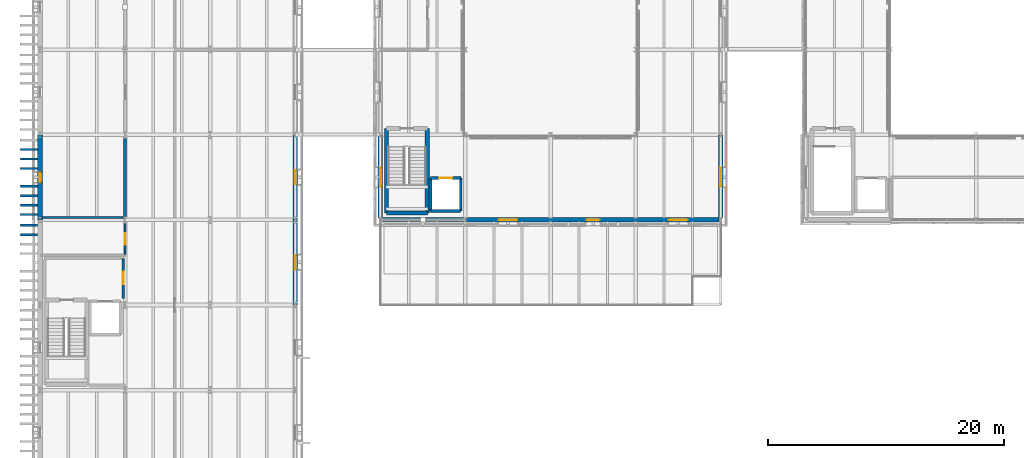
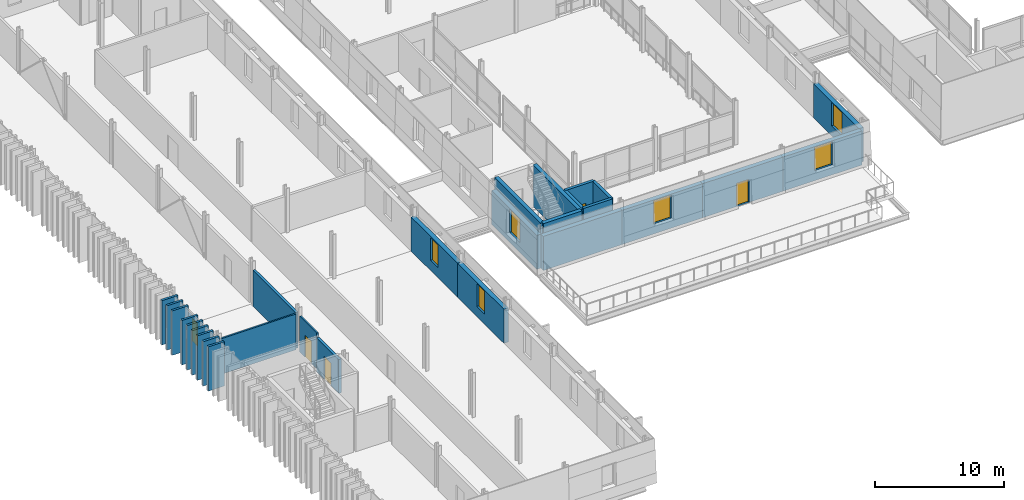
# One storey, part 57 of 91: 29 walls, 7 windows, 4 doors, 11 openings.
"""IFC4 building model written with IfcOpenShell, lengths in metres."""

from ifc_helpers import new_model, si_unit, direction, frame, frame_2d, origin, place, context, subcontext, project, spatial, rectangle, extrude, material, layer, layer_set, type_object, element, fill, save


model = new_model("IFC4")

# Units and contexts
model_context = context("Model", 3, precision=1e-05, world=origin(), true_north=direction((0.0, 1.0)))
body_context = subcontext(model_context, "Body", "Model", "MODEL_VIEW")
ifc_project = project(units=[si_unit("LENGTHUNIT", "METRE"), si_unit("AREAUNIT", "SQUARE_METRE"), si_unit("VOLUMEUNIT", "CUBIC_METRE"), si_unit("PLANEANGLEUNIT", "RADIAN"), si_unit("MASSUNIT", "GRAM", prefix="KILO")], contexts=[model_context])

# Site, building, storey
site_placement = place(None, origin())
site = spatial("IfcSite", under=ifc_project, at=site_placement, CompositionType="ELEMENT")
building_placement = place(site_placement, origin())
building = spatial("IfcBuilding", under=site, at=building_placement, Name="Narikvali Park Central Library", CompositionType="ELEMENT")
storey_placement = place(building_placement, frame((0.0, 0.0, 14.39990234375)))
storey = spatial("IfcBuildingStorey", under=building, at=storey_placement, Name="L03", CompositionType="ELEMENT", Elevation=14.39990234375)

# Wall
ifc_material_1 = material(Name="Reinforced Masonry Blockwork C30/37", Category="masonry")
ifc_layer_1 = layer(ifc_material_1, 0.219970703125, Name="Reinforced Masonry Blockwork C30/37")
ifc_layer_set_1 = layer_set([ifc_layer_1], Name="Reinforced Masonry Blockwork C30/37")
wall_type_1 = type_object("IfcWallType", Name="Archive Fire-Resisting Partition 220", PredefinedType="SOLIDWALL", material=ifc_layer_set_1)
wall_1_placement = place(storey_placement, frame((7.199951171875, 57.87890625, 0.0), z_axis=(0.0, 0.0, 1.0), x_axis=(0.0, 1.0, 0.0)))
element("IfcWall", 1, at=wall_1_placement, inside=storey, type_object=wall_type_1, Name="Compact Mobile Shelving Stacks L03 Partition E", PredefinedType="SOLIDWALL", context=body_context, shape_type="SweptSolid", body=[
    extrude(rectangle(XDim=6.64208984375, YDim=0.219970703125, at=frame_2d((3.321044921875, 0.0))), origin(), (0.0, 0.0, 1.0), 3.385009765625),
])

# Wall, opening, door
ifc_material_2 = material(Name="Autoclaved Concrete Blockwork C25/30", Category="masonry")
ifc_layer_2 = layer(ifc_material_2, 0.239990234375, Name="Autoclaved Concrete Blockwork C25/30")
ifc_layer_set_2 = layer_set([ifc_layer_2], Name="Autoclaved Concrete Blockwork C25/30")
wall_type_2 = type_object("IfcWallType", Name="Fire Compartment Concrete Block Wall 240", PredefinedType="SOLIDWALL", material=ifc_layer_set_2)
wall_2_placement = place(storey_placement, frame((7.050048828125, 50.949951171875, 0.0), z_axis=(0.0, 0.0, 1.0), x_axis=(0.0, 1.0, 0.0)))
wall_2 = element("IfcWall", 2, at=wall_2_placement, inside=storey, type_object=wall_type_2, Name="C5A L03 Firefighting Lobby Wall E", PredefinedType="SOLIDWALL", context=body_context, shape_type="SweptSolid", body=[
    extrude(rectangle(XDim=3.400146484375, YDim=0.239990234375, at=frame_2d((1.7001953125, 0.0))), origin(), (0.0, 0.0, 1.0), 3.2001953125),
])
opening_1_placement = place(wall_2_placement, frame((1.199951171875, 0.0, 0.0)))
opening_1 = element("IfcOpeningElement", 3, at=opening_1_placement, cuts=wall_2, Name="Opening FF-045", PredefinedType="OPENING", context=body_context, shape_type="SweptSolid", body=[
    extrude(rectangle(XDim=1.050048828125, YDim=2.14990234375, at=frame_2d((0.52490234375, 1.074951171875))), frame((0.0, 0.1318359375, 0.0), z_axis=(0.0, -1.0, 0.0), x_axis=(1.0, 0.0, 0.0)), (0.0, 0.0, 1.0), 0.263916015625),
])
ifc_material_3 = material(Name="Powder-Coated Steel S275 Fire Leaf", Category="steel")
door_type_1 = type_object("IfcDoorType", Name="Firefighting Lobby Single Fire Door 1050x2150", OperationType="SINGLE_SWING_RIGHT", PredefinedType="DOOR", material=ifc_material_3)
door_1_placement = place(opening_1_placement, frame((1.050048828125, 0.0, 0.0), z_axis=(0.0, 0.0, 1.0), x_axis=(-1.0, 0.0, 0.0)))
door_1 = element("IfcDoor", 4, at=door_1_placement, inside=storey, type_object=door_type_1, Name="FF-01 L03 Firefighting Lobby Corridor Door", OperationType="SINGLE_SWING_RIGHT", OverallHeight=2.14990234375, OverallWidth=1.050048828125, PredefinedType="DOOR", context=body_context, shape_type="SweptSolid", body=[
    extrude(rectangle(XDim=1.050048828125, YDim=2.14990234375, at=frame_2d((0.52490234375, 1.074951171875))), frame((0.0, 0.02490234375, 0.0), z_axis=(0.0, -1.0, 0.0), x_axis=(1.0, 0.0, 0.0)), (0.0, 0.0, 1.0), 0.050048828125),
])
fill(opening_1, door_1)

# Walls
ifc_material_4 = material(Name="Kiln-Fired Terracotta Red Brick Masonry", Category="masonry")
ifc_layer_3 = layer(ifc_material_4, 0.199951171875, Name="Kiln-Fired Terracotta Red Brick Masonry")
ifc_layer_set_3 = layer_set([ifc_layer_3], Name="Kiln-Fired Terracotta Red Brick Masonry")
wall_type_3 = type_object("IfcWallType", Name="Kiln-Fired Red Brick Vertical Fin Wall 200", PredefinedType="SOLIDWALL", material=ifc_layer_set_3)
for number, where, z_axis, x_axis, name in (
    (5, (-1.659912109375, 56.35009765625, 0.0), (0.0, 0.0, 1.0), (1.0, 0.0, 0.0), "West Stacks Red Brick Vertical Fin Pier 160"),
    (6, (-1.659912109375, 57.14990234375, 0.0), (0.0, 0.0, 1.0), (1.0, 0.0, 0.0), "West Stacks Red Brick Vertical Fin Pier 166"),
    (7, (-1.659912109375, 58.050048828125, 0.0), (0.0, 0.0, 1.0), (1.0, 0.0, 0.0), "West Stacks Red Brick Vertical Fin Pier 172"),
    (8, (-1.659912109375, 58.85009765625, 0.0), (0.0, 0.0, 1.0), (1.0, 0.0, 0.0), "West Stacks Red Brick Vertical Fin Pier 178"),
    (9, (-1.659912109375, 59.64990234375, 0.0), (0.0, 0.0, 1.0), (1.0, 0.0, 0.0), "West Stacks Red Brick Vertical Fin Pier 184"),
    (10, (-1.659912109375, 60.449951171875, 0.0), (0.0, 0.0, 1.0), (1.0, 0.0, 0.0), "West Stacks Red Brick Vertical Fin Pier 190"),
    (11, (-1.659912109375, 61.949951171875, 0.0), (0.0, 0.0, 1.0), (1.0, 0.0, 0.0), "West Stacks Red Brick Vertical Fin Pier 196"),
    (12, (-1.659912109375, 62.75, 0.0), (0.0, 0.0, 1.0), (1.0, 0.0, 0.0), "West Stacks Red Brick Vertical Fin Pier 202"),
    (13, (-1.659912109375, 63.550048828125, 0.0), (0.0, 0.0, 1.0), (1.0, 0.0, 0.0), "West Stacks Red Brick Vertical Fin Pier 208"),
):
    element("IfcWall", number, at=place(storey_placement, frame(where, z_axis=z_axis, x_axis=x_axis)), inside=storey, type_object=wall_type_3, Name=name, PredefinedType="SOLIDWALL", context=body_context, shape_type="SweptSolid", body=[
        extrude(rectangle(XDim=1.43994140625, YDim=0.199951171875, at=frame_2d((0.719970703125, 0.0))), origin(), (0.0, 0.0, 1.0), 4.2001953125),
    ])
ifc_material_5 = material(Name="Moisture-Resistant Cement Board on Steel Studs", Category="steel")
ifc_layer_4 = layer(ifc_material_5, 0.14990234375, Name="Moisture-Resistant Cement Board on Steel Studs")
ifc_layer_set_4 = layer_set([ifc_layer_4], Name="Moisture-Resistant Cement Board on Steel Studs")
wall_type_4 = type_object("IfcWallType", Name="Moisture-Resistant WC Partition 150", PredefinedType="PARTITIONING", material=ifc_layer_set_4)
wall_3_placement = place(storey_placement, frame((0.154052734375, 57.800048828125, 0.0), z_axis=(0.0, 0.0, 1.0), x_axis=(1.0, 0.0, 0.0)))
element("IfcWall", 14, at=wall_3_placement, inside=storey, type_object=wall_type_4, Name="Stacks Wing Accessible WC L03 Partition N", PredefinedType="PARTITIONING", context=body_context, shape_type="SweptSolid", body=[
    extrude(rectangle(XDim=6.891845703125, YDim=0.14990234375, at=frame_2d((3.44580078125, 0.0))), origin(), (0.0, 0.0, 1.0), 3.375),
])

# Wall, opening, door
wall_4_placement = place(storey_placement, frame((7.199951171875, 54.677001953125, 0.0), z_axis=(0.0, 0.0, 1.0), x_axis=(0.0, 1.0, 0.0)))
wall_4 = element("IfcWall", 15, at=wall_4_placement, inside=storey, type_object=wall_type_4, Name="Stacks Wing Accessible WC L03 Partition E", PredefinedType="PARTITIONING", context=body_context, shape_type="SweptSolid", body=[
    extrude(rectangle(XDim=2.64404296875, YDim=0.14990234375, at=frame_2d((1.322021484375, 0.0))), origin(), (0.0, 0.0, 1.0), 3.385009765625),
])
opening_2_placement = place(wall_4_placement, frame((0.83203125, 0.0, 0.0)))
opening_2 = element("IfcOpeningElement", 16, at=opening_2_placement, cuts=wall_4, Name="Opening ID-0021", PredefinedType="OPENING", context=body_context, shape_type="SweptSolid", body=[
    extrude(rectangle(XDim=0.97998046875, YDim=2.10009765625, at=frame_2d((0.489990234375, 1.050048828125))), frame((0.0, 0.0869140625, 0.0), z_axis=(0.0, -1.0, 0.0), x_axis=(1.0, 0.0, 0.0)), (0.0, 0.0, 1.0), 0.173828125),
])
ifc_material_6 = material(Name="Laminate Faced Hardwood Core", Category="wood")
door_type_2 = type_object("IfcDoorType", Name="Accessible WC Outward-Opening Door 980x2100", OperationType="SINGLE_SWING_RIGHT", PredefinedType="DOOR", material=ifc_material_6)
door_2_placement = place(opening_2_placement, frame((0.97998046875, 0.0, 0.0), z_axis=(0.0, 0.0, 1.0), x_axis=(-1.0, 0.0, 0.0)))
door_2 = element("IfcDoor", 17, at=door_2_placement, inside=storey, type_object=door_type_2, Name="Stacks Wing Accessible WC L03 Door ID-0021", OperationType="SINGLE_SWING_LEFT", OverallHeight=2.10009765625, OverallWidth=0.97998046875, PredefinedType="DOOR", context=body_context, shape_type="SweptSolid", body=[
    extrude(rectangle(XDim=0.97998046875, YDim=2.10009765625, at=frame_2d((0.489990234375, 1.050048828125))), frame((0.0, 0.02490234375, 0.0), z_axis=(0.0, -1.0, 0.0), x_axis=(1.0, 0.0, 0.0)), (0.0, 0.0, 1.0), 0.050048828125),
])
fill(opening_2, door_2)

# Walls
ifc_material_7 = material(Name="Concrete C40/50", Category="concrete")
ifc_layer_5 = layer(ifc_material_7, 0.35009765625, Name="Concrete C40/50")
ifc_layer_set_5 = layer_set([ifc_layer_5], Name="Concrete C40/50")
wall_type_5 = type_object("IfcWallType", Name="Reinforced Concrete Core Shear Wall 350", PredefinedType="SHEAR", material=ifc_layer_set_5)
wall_5_placement = place(storey_placement, frame((29.330078125, 58.179931640625, 0.0), z_axis=(0.0, 0.0, 1.0), x_axis=(1.0, 0.0, 0.0)))
element("IfcWall", 18, at=wall_5_placement, inside=storey, type_object=wall_type_5, Name="C4A L03 Stair Core Shear Wall S", PredefinedType="SHEAR", context=body_context, shape_type="SweptSolid", body=[
    extrude(rectangle(XDim=3.43994140625, YDim=0.35009765625, at=frame_2d((1.719970703125, 0.0))), origin(), (0.0, 0.0, 1.0), 3.940185546875),
])
for number, where, z_axis, x_axis, name in (
    (19, (32.77001953125, 58.179931640625, 0.0), (0.0, 0.0, 1.0), (0.0, 1.0, 0.0), "C4A L03 Stair Core Shear Wall E"),
    (20, (29.330078125, 65.320068359375, 0.0), (0.0, 0.0, 1.0), (0.0, -1.0, 0.0), "C4A L03 Stair Core Shear Wall W"),
):
    element("IfcWall", number, at=place(storey_placement, frame(where, z_axis=z_axis, x_axis=x_axis)), inside=storey, type_object=wall_type_5, Name=name, PredefinedType="SHEAR", context=body_context, shape_type="SweptSolid", body=[
        extrude(rectangle(XDim=7.14013671875, YDim=0.35009765625, at=frame_2d((3.570068359375, 0.0))), origin(), (0.0, 0.0, 1.0), 3.940185546875),
    ])
ifc_layer_6 = layer(ifc_material_7, 0.25, Name="Concrete C40/50")
ifc_layer_set_6 = layer_set([ifc_layer_6], Name="Concrete C40/50")
wall_type_6 = type_object("IfcWallType", Name="Reinforced Concrete Lift Shaft Wall 250", PredefinedType="SHEAR", material=ifc_layer_set_6)
wall_6_placement = place(storey_placement, frame((33.050048828125, 58.35009765625, 0.0), z_axis=(0.0, 0.0, 1.0), x_axis=(1.0, 0.0, 0.0)))
element("IfcWall", 21, at=wall_6_placement, inside=storey, type_object=wall_type_6, Name="L-05 L03 Lift Shaft Wall S", PredefinedType="SHEAR", context=body_context, shape_type="SweptSolid", body=[
    extrude(rectangle(XDim=2.550048828125, YDim=0.25, at=frame_2d((1.27490234375, 0.0))), origin(), (0.0, 0.0, 1.0), 3.940185546875),
])
wall_7_placement = place(storey_placement, frame((35.60009765625, 58.35009765625, 0.0), z_axis=(0.0, 0.0, 1.0), x_axis=(0.0, 1.0, 0.0)))
element("IfcWall", 22, at=wall_7_placement, inside=storey, type_object=wall_type_6, Name="L-05 L03 Lift Shaft Wall E", PredefinedType="SHEAR", context=body_context, shape_type="SweptSolid", body=[
    extrude(rectangle(XDim=2.7998046875, YDim=0.25, at=frame_2d((1.39990234375, 0.0))), origin(), (0.0, 0.0, 1.0), 3.940185546875),
])

# Wall, opening, door
wall_8_placement = place(storey_placement, frame((35.60009765625, 61.14990234375, 0.0), z_axis=(0.0, 0.0, 1.0), x_axis=(-1.0, 0.0, 0.0)))
wall_8 = element("IfcWall", 23, at=wall_8_placement, inside=storey, type_object=wall_type_6, Name="L-05 L03 Lift Shaft Wall N", PredefinedType="SHEAR", context=body_context, shape_type="SweptSolid", body=[
    extrude(rectangle(XDim=2.550048828125, YDim=0.25, at=frame_2d((1.27490234375, 0.0))), origin(), (0.0, 0.0, 1.0), 3.940185546875),
])
opening_3_placement = place(wall_8_placement, frame((0.72509765625, 0.0, 0.0)))
opening_3 = element("IfcOpeningElement", 24, at=opening_3_placement, cuts=wall_8, Name="Opening LD-026", PredefinedType="OPENING", context=body_context, shape_type="SweptSolid", body=[
    extrude(rectangle(XDim=1.10009765625, YDim=2.10009765625, at=frame_2d((0.550048828125, 1.050048828125))), frame((0.0, 0.136962890625, 0.0), z_axis=(0.0, -1.0, 0.0), x_axis=(1.0, 0.0, 0.0)), (0.0, 0.0, 1.0), 0.27392578125),
])
ifc_material_8 = material(Name="Brushed Stainless Steel S355", Category="steel")
door_type_3 = type_object("IfcDoorType", Name="Passenger Lift Sliding Landing Door 1100x2100", OperationType="SLIDING_TO_LEFT", PredefinedType="DOOR", material=ifc_material_8)
door_3_placement = place(opening_3_placement, origin())
door_3 = element("IfcDoor", 25, at=door_3_placement, inside=storey, type_object=door_type_3, Name="L-05 L03 Lift Landing Sliding Door LD-026", OperationType="SLIDING_TO_LEFT", OverallHeight=2.10009765625, OverallWidth=1.10009765625, PredefinedType="DOOR", context=body_context, shape_type="SweptSolid", body=[
    extrude(rectangle(XDim=1.10009765625, YDim=2.10009765625, at=frame_2d((0.550048828125, 1.050048828125))), frame((0.0, 0.02490234375, 0.0), z_axis=(0.0, -1.0, 0.0), x_axis=(1.0, 0.0, 0.0)), (0.0, 0.0, 1.0), 0.050048828125),
])
fill(opening_3, door_3)

# Walls
wall_9_placement = place(storey_placement, frame((33.050048828125, 61.14990234375, 0.0), z_axis=(0.0, 0.0, 1.0), x_axis=(0.0, -1.0, 0.0)))
element("IfcWall", 26, at=wall_9_placement, inside=storey, type_object=wall_type_6, Name="L-05 L03 Lift Shaft Wall W", PredefinedType="SHEAR", context=body_context, shape_type="SweptSolid", body=[
    extrude(rectangle(XDim=2.7998046875, YDim=0.25, at=frame_2d((1.39990234375, 0.0))), origin(), (0.0, 0.0, 1.0), 3.940185546875),
])
ifc_material_9 = material(Name="White Honed Limestone over Concrete C35/45", Category="masonry")
ifc_layer_7 = layer(ifc_material_9, 0.39990234375, Name="White Honed Limestone over Concrete C35/45")
ifc_layer_set_7 = layer_set([ifc_layer_7], Name="White Honed Limestone over Concrete C35/45")
wall_type_7 = type_object("IfcWallType", Name="White Limestone Battered Tier3 Wall 400", PredefinedType="SOLIDWALL", material=ifc_layer_set_7)
wall_10_placement = place(storey_placement, frame((28.9541015625, 57.60009765625, 0.0), z_axis=(0.0, 0.0, 1.0), x_axis=(1.0, 0.0, 0.0)))
element("IfcWall", 27, at=wall_10_placement, inside=storey, type_object=wall_type_7, Name="V4 L03 S Exterior Limestone Wall B01", PredefinedType="SOLIDWALL", context=body_context, shape_type="SweptSolid", body=[
    extrude(rectangle(XDim=7.0458984375, YDim=0.39990234375, at=frame_2d((3.52294921875, 0.0))), origin(), (0.0, 0.0, 1.0), 3.22021484375),
])

# Wall, opening, window
wall_11_placement = place(storey_placement, frame((36.0, 57.60009765625, 0.0), z_axis=(0.0, 0.0, 1.0), x_axis=(1.0, 0.0, 0.0)))
wall_11 = element("IfcWall", 28, at=wall_11_placement, inside=storey, type_object=wall_type_7, Name="V4 L03 S Exterior Limestone Wall B02", PredefinedType="SOLIDWALL", context=body_context, shape_type="SweptSolid", body=[
    extrude(rectangle(XDim=7.199951171875, YDim=0.39990234375, at=frame_2d((3.60009765625, 0.0))), origin(), (0.0, 0.0, 1.0), 3.22021484375),
])
opening_4_placement = place(wall_11_placement, frame((2.800048828125, 0.0, 0.949951171875)))
opening_4 = element("IfcOpeningElement", 29, at=opening_4_placement, cuts=wall_11, Name="Opening WIN-0185", PredefinedType="OPENING", context=body_context, shape_type="SweptSolid", body=[
    extrude(rectangle(XDim=1.60009765625, YDim=2.199951171875, at=frame_2d((0.800048828125, 1.10009765625))), frame((0.0, 0.2119140625, 0.0), z_axis=(0.0, -1.0, 0.0), x_axis=(1.0, 0.0, 0.0)), (0.0, 0.0, 1.0), 0.423828125),
])
ifc_material_10 = material(Name="Anodised Bronze Aluminium and Low-E Triple Glazing", Category="aluminium")
window_type_1 = type_object("IfcWindowType", Name="Atrium Reading Wing Classical Window 1600x2200", PartitioningType="DOUBLE_PANEL_VERTICAL", PredefinedType="WINDOW", material=ifc_material_10)
window_1_placement = place(opening_4_placement, origin())
window_1 = element("IfcWindow", 30, at=window_1_placement, inside=storey, type_object=window_type_1, Name="V4 L03 S Deep-Reveal Window WIN-0185", OverallHeight=2.199951171875, OverallWidth=1.60009765625, PartitioningType="SINGLE_PANEL", PredefinedType="WINDOW", context=body_context, shape_type="SweptSolid", body=[
    extrude(rectangle(XDim=1.60009765625, YDim=2.199951171875, at=frame_2d((0.800048828125, 1.10009765625))), frame((0.0, 0.030029296875, 0.0), z_axis=(0.0, -1.0, 0.0), x_axis=(1.0, 0.0, 0.0)), (0.0, 0.0, 1.0), 0.06005859375),
])
fill(opening_4, window_1)

# Wall, opening, door
wall_12_placement = place(storey_placement, frame((43.199951171875, 57.60009765625, 0.0), z_axis=(0.0, 0.0, 1.0), x_axis=(1.0, 0.0, 0.0)))
wall_12 = element("IfcWall", 31, at=wall_12_placement, inside=storey, type_object=wall_type_7, Name="V4 L03 S Exterior Limestone Wall B03", PredefinedType="SOLIDWALL", context=body_context, shape_type="SweptSolid", body=[
    extrude(rectangle(XDim=7.199951171875, YDim=0.39990234375, at=frame_2d((3.60009765625, 0.0))), origin(), (0.0, 0.0, 1.0), 3.22021484375),
])
opening_5_placement = place(wall_12_placement, frame((3.050048828125, 0.0, 0.0)))
opening_5 = element("IfcOpeningElement", 32, at=opening_5_placement, cuts=wall_12, Name="Opening ED-036", PredefinedType="OPENING", context=body_context, shape_type="SweptSolid", body=[
    extrude(rectangle(XDim=1.10009765625, YDim=2.199951171875, at=frame_2d((0.550048828125, 1.10009765625))), frame((0.0, 0.2119140625, 0.0), z_axis=(0.0, -1.0, 0.0), x_axis=(1.0, 0.0, 0.0)), (0.0, 0.0, 1.0), 0.423828125),
])
ifc_material_11 = material(Name="Anodised Architectural Bronze and Tempered Glass", Category="glass")
door_type_4 = type_object("IfcDoorType", Name="Roof Garden Terrace Glazed Door 1100x2200", OperationType="SINGLE_SWING_LEFT", PredefinedType="DOOR", material=ifc_material_11)
door_4_placement = place(opening_5_placement, frame((1.10009765625, 0.0, 0.0), z_axis=(0.0, 0.0, 1.0), x_axis=(-1.0, 0.0, 0.0)))
door_4 = element("IfcDoor", 33, at=door_4_placement, inside=storey, type_object=door_type_4, Name="V4 L03 Planted Roof Garden Access Door ED-036", OperationType="SINGLE_SWING_LEFT", OverallHeight=2.199951171875, OverallWidth=1.10009765625, PredefinedType="DOOR", context=body_context, shape_type="SweptSolid", body=[
    extrude(rectangle(XDim=1.10009765625, YDim=2.199951171875, at=frame_2d((0.550048828125, 1.10009765625))), frame((0.0, 0.02490234375, 0.0), z_axis=(0.0, -1.0, 0.0), x_axis=(1.0, 0.0, 0.0)), (0.0, 0.0, 1.0), 0.050048828125),
])
fill(opening_5, door_4)

# Wall, opening, window
wall_13_placement = place(storey_placement, frame((50.39990234375, 57.60009765625, 0.0), z_axis=(0.0, 0.0, 1.0), x_axis=(1.0, 0.0, 0.0)))
wall_13 = element("IfcWall", 34, at=wall_13_placement, inside=storey, type_object=wall_type_7, Name="V4 L03 S Exterior Limestone Wall B04", PredefinedType="SOLIDWALL", context=body_context, shape_type="SweptSolid", body=[
    extrude(rectangle(XDim=7.046142578125, YDim=0.39990234375, at=frame_2d((3.52294921875, 0.0))), origin(), (0.0, 0.0, 1.0), 3.22021484375),
])
opening_6_placement = place(wall_13_placement, frame((2.800048828125, 0.0, 0.949951171875)))
opening_6 = element("IfcOpeningElement", 35, at=opening_6_placement, cuts=wall_13, Name="Opening WIN-0186", PredefinedType="OPENING", context=body_context, shape_type="SweptSolid", body=[
    extrude(rectangle(XDim=1.60009765625, YDim=2.199951171875, at=frame_2d((0.800048828125, 1.10009765625))), frame((0.0, 0.2119140625, 0.0), z_axis=(0.0, -1.0, 0.0), x_axis=(1.0, 0.0, 0.0)), (0.0, 0.0, 1.0), 0.423828125),
])
window_2_placement = place(opening_6_placement, origin())
window_2 = element("IfcWindow", 36, at=window_2_placement, inside=storey, type_object=window_type_1, Name="V4 L03 S Deep-Reveal Window WIN-0186", OverallHeight=2.199951171875, OverallWidth=1.60009765625, PartitioningType="SINGLE_PANEL", PredefinedType="WINDOW", context=body_context, shape_type="SweptSolid", body=[
    extrude(rectangle(XDim=1.60009765625, YDim=2.199951171875, at=frame_2d((0.800048828125, 1.10009765625))), frame((0.0, 0.030029296875, 0.0), z_axis=(0.0, -1.0, 0.0), x_axis=(1.0, 0.0, 0.0)), (0.0, 0.0, 1.0), 0.06005859375),
])
fill(opening_6, window_2)

wall_14_placement = place(storey_placement, frame((57.60009765625, 57.77392578125, 0.0), z_axis=(0.0, 0.0, 1.0), x_axis=(0.0, 1.0, 0.0)))
wall_14 = element("IfcWall", 37, at=wall_14_placement, inside=storey, type_object=wall_type_7, Name="V4 L03 E Exterior Limestone Wall B01", PredefinedType="SOLIDWALL", context=body_context, shape_type="SweptSolid", body=[
    extrude(rectangle(XDim=7.026123046875, YDim=0.39990234375, at=frame_2d((3.51318359375, 0.0))), origin(), (0.0, 0.0, 1.0), 3.22021484375),
])
opening_7_placement = place(wall_14_placement, frame((2.6259765625, 0.0, 0.949951171875)))
opening_7 = element("IfcOpeningElement", 38, at=opening_7_placement, cuts=wall_14, Name="Opening WIN-0187", PredefinedType="OPENING", context=body_context, shape_type="SweptSolid", body=[
    extrude(rectangle(XDim=1.60009765625, YDim=2.199951171875, at=frame_2d((0.800048828125, 1.10009765625))), frame((0.0, 0.2119140625, 0.0), z_axis=(0.0, -1.0, 0.0), x_axis=(1.0, 0.0, 0.0)), (0.0, 0.0, 1.0), 0.423828125),
])
window_3_placement = place(opening_7_placement, origin())
window_3 = element("IfcWindow", 39, at=window_3_placement, inside=storey, type_object=window_type_1, Name="V4 L03 E Deep-Reveal Window WIN-0187", OverallHeight=2.199951171875, OverallWidth=1.60009765625, PartitioningType="SINGLE_PANEL", PredefinedType="WINDOW", context=body_context, shape_type="SweptSolid", body=[
    extrude(rectangle(XDim=1.60009765625, YDim=2.199951171875, at=frame_2d((0.800048828125, 1.10009765625))), frame((0.0, 0.030029296875, 0.0), z_axis=(0.0, -1.0, 0.0), x_axis=(1.0, 0.0, 0.0)), (0.0, 0.0, 1.0), 0.06005859375),
])
fill(opening_7, window_3)

wall_15_placement = place(storey_placement, frame((28.800048828125, 64.800048828125, 0.0), z_axis=(0.0, 0.0, 1.0), x_axis=(0.0, -1.0, 0.0)))
wall_15 = element("IfcWall", 40, at=wall_15_placement, inside=storey, type_object=wall_type_7, Name="V4 L03 W Exterior Limestone Wall B08", PredefinedType="SOLIDWALL", context=body_context, shape_type="SweptSolid", body=[
    extrude(rectangle(XDim=7.026123046875, YDim=0.39990234375, at=frame_2d((3.51318359375, 0.0))), origin(), (0.0, 0.0, 1.0), 3.22021484375),
])
opening_8_placement = place(wall_15_placement, frame((2.800048828125, 0.0, 0.949951171875)))
opening_8 = element("IfcOpeningElement", 41, at=opening_8_placement, cuts=wall_15, Name="Opening WIN-0205", PredefinedType="OPENING", context=body_context, shape_type="SweptSolid", body=[
    extrude(rectangle(XDim=1.60009765625, YDim=2.199951171875, at=frame_2d((0.800048828125, 1.10009765625))), frame((0.0, 0.2119140625, 0.0), z_axis=(0.0, -1.0, 0.0), x_axis=(1.0, 0.0, 0.0)), (0.0, 0.0, 1.0), 0.423828125),
])
window_4_placement = place(opening_8_placement, origin())
window_4 = element("IfcWindow", 42, at=window_4_placement, inside=storey, type_object=window_type_1, Name="V4 L03 W Deep-Reveal Window WIN-0205", OverallHeight=2.199951171875, OverallWidth=1.60009765625, PartitioningType="SINGLE_PANEL", PredefinedType="WINDOW", context=body_context, shape_type="SweptSolid", body=[
    extrude(rectangle(XDim=1.60009765625, YDim=2.199951171875, at=frame_2d((0.800048828125, 1.10009765625))), frame((0.0, 0.030029296875, 0.0), z_axis=(0.0, -1.0, 0.0), x_axis=(1.0, 0.0, 0.0)), (0.0, 0.0, 1.0), 0.06005859375),
])
fill(opening_8, window_4)

wall_16_placement = place(storey_placement, frame((21.60009765625, 50.39990234375, 0.0), z_axis=(0.0, 0.0, 1.0), x_axis=(0.0, 1.0, 0.0)))
wall_16 = element("IfcWall", 43, at=wall_16_placement, inside=storey, type_object=wall_type_7, Name="V5 L03 E Exterior Limestone Wall B04", PredefinedType="SOLIDWALL", context=body_context, shape_type="SweptSolid", body=[
    extrude(rectangle(XDim=7.2001953125, YDim=0.39990234375, at=frame_2d((3.60009765625, 0.0))), origin(), (0.0, 0.0, 1.0), 3.22021484375),
])
opening_9_placement = place(wall_16_placement, frame((3.0, 0.0, 0.949951171875)))
opening_9 = element("IfcOpeningElement", 44, at=opening_9_placement, cuts=wall_16, Name="Opening WIN-0288", PredefinedType="OPENING", context=body_context, shape_type="SweptSolid", body=[
    extrude(rectangle(XDim=1.199951171875, YDim=2.14990234375, at=frame_2d((0.60009765625, 1.074951171875))), frame((0.0, 0.2119140625, 0.0), z_axis=(0.0, -1.0, 0.0), x_axis=(1.0, 0.0, 0.0)), (0.0, 0.0, 1.0), 0.423828125),
])
window_type_2 = type_object("IfcWindowType", Name="Stacks Archive Deep-Reveal Punched Window 1200x2150", PartitioningType="SINGLE_PANEL", PredefinedType="WINDOW", material=ifc_material_10)
window_5_placement = place(opening_9_placement, origin())
window_5 = element("IfcWindow", 45, at=window_5_placement, inside=storey, type_object=window_type_2, Name="V5 L03 E Deep-Reveal Window WIN-0288", OverallHeight=2.14990234375, OverallWidth=1.199951171875, PartitioningType="SINGLE_PANEL", PredefinedType="WINDOW", context=body_context, shape_type="SweptSolid", body=[
    extrude(rectangle(XDim=1.199951171875, YDim=2.14990234375, at=frame_2d((0.60009765625, 1.074951171875))), frame((0.0, 0.030029296875, 0.0), z_axis=(0.0, -1.0, 0.0), x_axis=(1.0, 0.0, 0.0)), (0.0, 0.0, 1.0), 0.06005859375),
])
fill(opening_9, window_5)

wall_17_placement = place(storey_placement, frame((21.60009765625, 57.60009765625, 0.0), z_axis=(0.0, 0.0, 1.0), x_axis=(0.0, 1.0, 0.0)))
wall_17 = element("IfcWall", 46, at=wall_17_placement, inside=storey, type_object=wall_type_7, Name="V5 L03 E Exterior Limestone Wall B05", PredefinedType="SOLIDWALL", context=body_context, shape_type="SweptSolid", body=[
    extrude(rectangle(XDim=7.199951171875, YDim=0.39990234375, at=frame_2d((3.60009765625, 0.0))), origin(), (0.0, 0.0, 1.0), 3.22021484375),
])
opening_10_placement = place(wall_17_placement, frame((3.0, 0.0, 0.949951171875)))
opening_10 = element("IfcOpeningElement", 47, at=opening_10_placement, cuts=wall_17, Name="Opening WIN-0289", PredefinedType="OPENING", context=body_context, shape_type="SweptSolid", body=[
    extrude(rectangle(XDim=1.199951171875, YDim=2.14990234375, at=frame_2d((0.60009765625, 1.074951171875))), frame((0.0, 0.2119140625, 0.0), z_axis=(0.0, -1.0, 0.0), x_axis=(1.0, 0.0, 0.0)), (0.0, 0.0, 1.0), 0.423828125),
])
window_6_placement = place(opening_10_placement, origin())
window_6 = element("IfcWindow", 48, at=window_6_placement, inside=storey, type_object=window_type_2, Name="V5 L03 E Deep-Reveal Window WIN-0289", OverallHeight=2.14990234375, OverallWidth=1.199951171875, PartitioningType="SINGLE_PANEL", PredefinedType="WINDOW", context=body_context, shape_type="SweptSolid", body=[
    extrude(rectangle(XDim=1.199951171875, YDim=2.14990234375, at=frame_2d((0.60009765625, 1.074951171875))), frame((0.0, 0.030029296875, 0.0), z_axis=(0.0, -1.0, 0.0), x_axis=(1.0, 0.0, 0.0)), (0.0, 0.0, 1.0), 0.06005859375),
])
fill(opening_10, window_6)

wall_18_placement = place(storey_placement, frame((0.0, 64.800048828125, 0.0), z_axis=(0.0, 0.0, 1.0), x_axis=(0.0, -1.0, 0.0)))
wall_18 = element("IfcWall", 49, at=wall_18_placement, inside=storey, type_object=wall_type_7, Name="V5 L03 W Exterior Limestone Wall B07", PredefinedType="SOLIDWALL", context=body_context, shape_type="SweptSolid", body=[
    extrude(rectangle(XDim=7.199951171875, YDim=0.39990234375, at=frame_2d((3.60009765625, 0.0))), origin(), (0.0, 0.0, 1.0), 3.06005859375),
])
opening_11_placement = place(wall_18_placement, frame((3.199951171875, 0.0, 0.949951171875)))
opening_11 = element("IfcOpeningElement", 50, at=opening_11_placement, cuts=wall_18, Name="Opening WIN-0303", PredefinedType="OPENING", context=body_context, shape_type="SweptSolid", body=[
    extrude(rectangle(XDim=0.800048828125, YDim=2.14990234375, at=frame_2d((0.39990234375, 1.074951171875))), frame((0.0, 0.2119140625, 0.0), z_axis=(0.0, -1.0, 0.0), x_axis=(1.0, 0.0, 0.0)), (0.0, 0.0, 1.0), 0.423828125),
])
window_type_3 = type_object("IfcWindowType", Name="West Fin-Bay Narrow Carrel Slot Window 800x2150", PartitioningType="SINGLE_PANEL", PredefinedType="WINDOW", material=ifc_material_10)
window_7_placement = place(opening_11_placement, origin())
window_7 = element("IfcWindow", 51, at=window_7_placement, inside=storey, type_object=window_type_3, Name="V5 L03 W Deep-Reveal Window WIN-0303", OverallHeight=2.14990234375, OverallWidth=0.800048828125, PartitioningType="SINGLE_PANEL", PredefinedType="WINDOW", context=body_context, shape_type="SweptSolid", body=[
    extrude(rectangle(XDim=0.800048828125, YDim=2.14990234375, at=frame_2d((0.39990234375, 1.074951171875))), frame((0.0, 0.030029296875, 0.0), z_axis=(0.0, -1.0, 0.0), x_axis=(1.0, 0.0, 0.0)), (0.0, 0.0, 1.0), 0.06005859375),
])
fill(opening_11, window_7)

save(model, "model.ifc")
